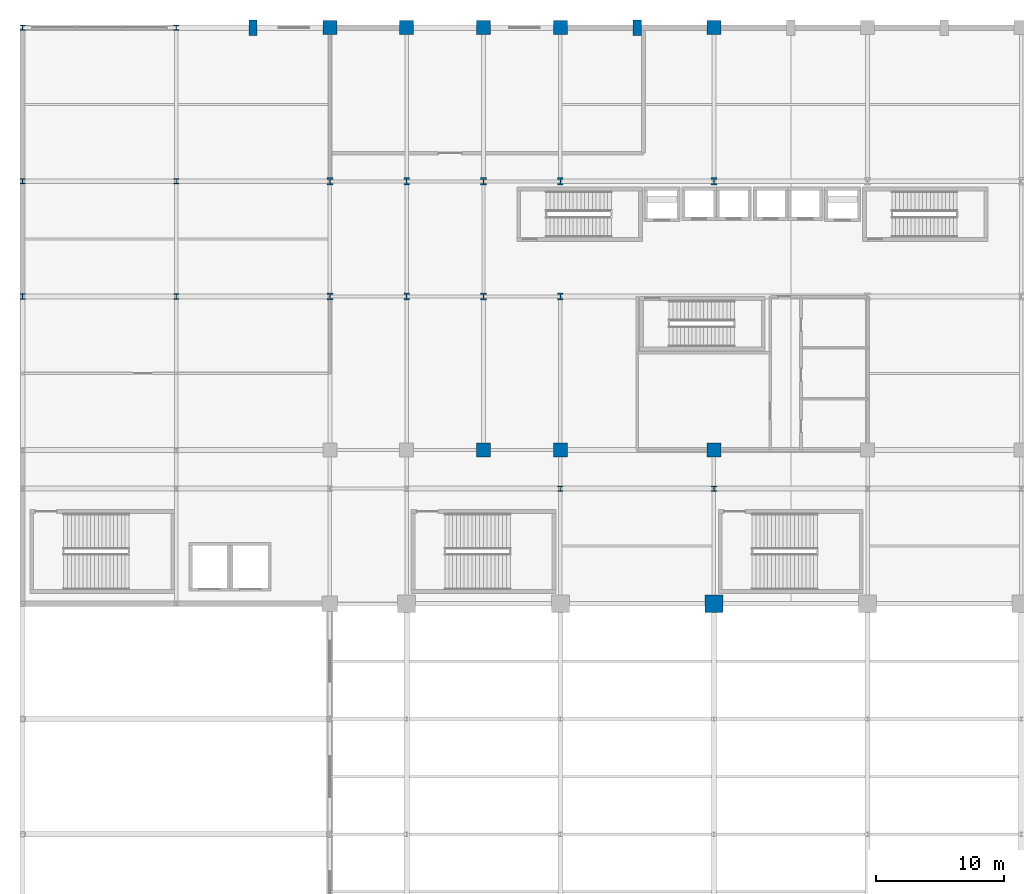
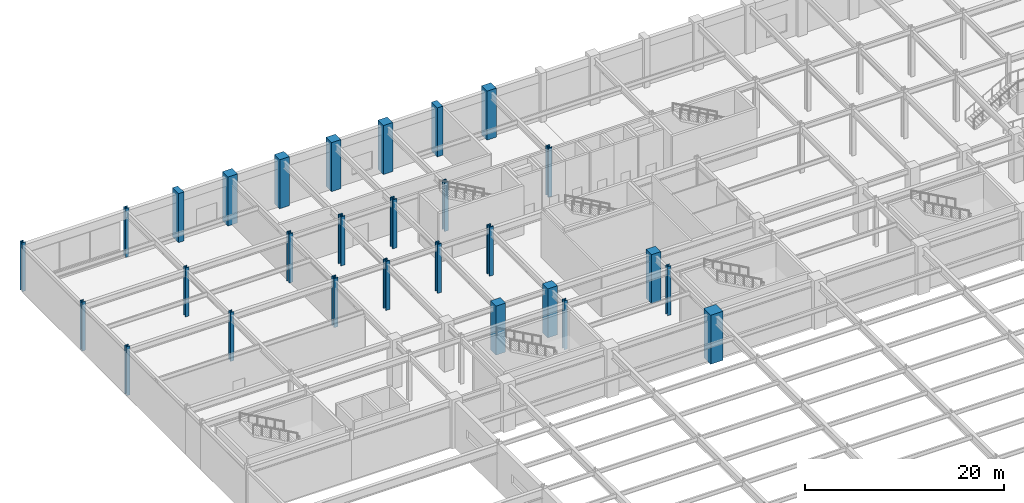
# One storey, part 7 of 105: 28 columns.
"""IFC4 building model written with IfcOpenShell, lengths in metres."""

from ifc_helpers import new_model, si_unit, direction, frame, origin, origin_2d, place, context, subcontext, project, spatial, rectangle, i_section, extrude, material, material_profile, profile_set, type_object, element, save


model = new_model("IFC4")

# Units and contexts
model_context = context("Model", 3, precision=1e-05, world=origin(), true_north=direction((0.0, 1.0)))
body_context = subcontext(model_context, "Body", "Model", "MODEL_VIEW")
ifc_project = project(units=[si_unit("LENGTHUNIT", "METRE"), si_unit("AREAUNIT", "SQUARE_METRE"), si_unit("VOLUMEUNIT", "CUBIC_METRE"), si_unit("PLANEANGLEUNIT", "RADIAN"), si_unit("MASSUNIT", "GRAM", prefix="KILO")], contexts=[model_context])

# Site, building, storey
site_placement = place(None, origin())
site = spatial("IfcSite", under=ifc_project, at=site_placement, CompositionType="ELEMENT")
building_placement = place(site_placement, origin())
building = spatial("IfcBuilding", under=site, at=building_placement, Name="Kaldorvane Square Convention Centre", CompositionType="ELEMENT")
storey_placement = place(building_placement, frame((0.0, 0.0, 6.0)))
storey = spatial("IfcBuildingStorey", under=building, at=storey_placement, Name="L01", CompositionType="ELEMENT", Elevation=6.0)

# Columns
ifc_material_1 = material(Name="Concrete f'c = 55 MPa (Normalweight)", Category="concrete")
ifc_material_profile_1 = material_profile(ifc_material_1, rectangle(XDim=1.399993896484375, YDim=1.399993896484375, at=origin_2d()), Name="RC1400X1400")
ifc_profile_set_1 = profile_set([ifc_material_profile_1], Name="Concrete f'c = 55 MPa (Normalweight)")
column_type_1 = type_object("IfcColumnType", Name="COL-MEGA-1400", PredefinedType="COLUMN", material=ifc_profile_set_1)
column_placement = place(storey_placement, frame((54.0, 72.0, 0.0), z_axis=(0.0, 0.0, 1.0), x_axis=(1.0, 0.0, 0.0)))
element("IfcColumn", 1, at=column_placement, inside=storey, type_object=column_type_1, Name="Column MC-01 (L01)", PredefinedType="COLUMN", context=body_context, shape_type="SweptSolid", body=[
    extrude(rectangle(XDim=1.399993896484375, YDim=1.399993896484375, at=origin_2d()), origin(), (0.0, 0.0, 1.0), 6.0),
])
ifc_material_profile_2 = material_profile(ifc_material_1, rectangle(XDim=1.100006103515625, YDim=1.100006103515625, at=origin_2d()), Name="RC1100X1100")
ifc_profile_set_2 = profile_set([ifc_material_profile_2], Name="Concrete f'c = 55 MPa (Normalweight)")
column_type_2 = type_object("IfcColumnType", Name="COL-RC-1100", PredefinedType="COLUMN", material=ifc_profile_set_2)
for number, where, z_axis, x_axis, name in (
    (2, (24.0, 117.0, 0.0), (0.0, 0.0, 1.0), (1.0, 0.0, 0.0), "Column CC-01 (L01)"),
    (3, (30.0, 117.0, 0.0), (0.0, 0.0, 1.0), (1.0, 0.0, 0.0), "Column CC-01 (L01)"),
    (4, (36.0, 84.0, 0.0), (0.0, 0.0, 1.0), (1.0, 0.0, 0.0), "Column CC-01 (L01)"),
    (5, (36.0, 117.0, 0.0), (0.0, 0.0, 1.0), (1.0, 0.0, 0.0), "Column CC-01 (L01)"),
    (6, (42.0, 84.0, 0.0), (0.0, 0.0, 1.0), (1.0, 0.0, 0.0), "Column CC-01 (L01)"),
    (7, (42.0, 117.0, 0.0), (0.0, 0.0, 1.0), (1.0, 0.0, 0.0), "Column CC-01 (L01)"),
    (8, (54.0, 84.0, 0.0), (0.0, 0.0, 1.0), (1.0, 0.0, 0.0), "Column CC-01 (L01)"),
    (9, (54.0, 117.0, 0.0), (0.0, 0.0, 1.0), (1.0, 0.0, 0.0), "Column CC-01 (L01)"),
):
    element("IfcColumn", number, at=place(storey_placement, frame(where, z_axis=z_axis, x_axis=x_axis)), inside=storey, type_object=column_type_2, Name=name, PredefinedType="COLUMN", context=body_context, shape_type="SweptSolid", body=[
        extrude(rectangle(XDim=1.100006103515625, YDim=1.100006103515625, at=origin_2d()), origin(), (0.0, 0.0, 1.0), 6.0),
    ])
ifc_material_2 = material(Name="Steel ASTM A992 Gr. 50", Category="steel")
ifc_material_profile_3 = material_profile(ifc_material_2, i_section(OverallWidth=0.40130615234375, OverallDepth=0.3993072509765625, WebThickness=0.02490234375, FlangeThickness=0.0395965576171875, FilletRadius=0.0305023193359375, at=origin_2d()), Name="W14X211")
ifc_profile_set_3 = profile_set([ifc_material_profile_3], Name="Steel ASTM A992 Gr. 50")
column_type_3 = type_object("IfcColumnType", Name="COL-STL-211", PredefinedType="COLUMN", material=ifc_profile_set_3)
for number, where, z_axis, x_axis, name in (
    (10, (0.0, 96.0, 0.0), (0.0, 0.0, 1.0), (1.0, 0.0, 0.0), "Column SC-08 (L01)"),
    (11, (0.0, 105.0, 0.0), (0.0, 0.0, 1.0), (1.0, 0.0, 0.0), "Column SC-08 (L01)"),
    (12, (0.0, 117.0, 0.0), (0.0, 0.0, 1.0), (1.0, 0.0, 0.0), "Column SC-08 (L01)"),
    (13, (12.0, 96.0, 0.0), (0.0, 0.0, 1.0), (1.0, 0.0, 0.0), "Column SC-08 (L01)"),
    (14, (12.0, 105.0, 0.0), (0.0, 0.0, 1.0), (1.0, 0.0, 0.0), "Column SC-08 (L01)"),
    (15, (12.0, 117.0, 0.0), (0.0, 0.0, 1.0), (1.0, 0.0, 0.0), "Column SC-08 (L01)"),
    (16, (42.0, 81.0, 0.0), (0.0, 0.0, 1.0), (1.0, 0.0, 0.0), "Column SC-08 (L01)"),
    (17, (54.0, 81.0, 0.0), (0.0, 0.0, 1.0), (1.0, 0.0, 0.0), "Column SC-08 (L01)"),
):
    element("IfcColumn", number, at=place(storey_placement, frame(where, z_axis=z_axis, x_axis=x_axis)), inside=storey, type_object=column_type_3, Name=name, PredefinedType="COLUMN", context=body_context, shape_type="SweptSolid", body=[
        extrude(i_section(OverallWidth=0.40130615234375, OverallDepth=0.3993072509765625, WebThickness=0.02490234375, FlangeThickness=0.0395965576171875, FilletRadius=0.0305023193359375, at=origin_2d()), origin(), (0.0, 0.0, 1.0), 6.0),
    ])
ifc_material_profile_4 = material_profile(ifc_material_2, i_section(OverallWidth=0.45440673828125, OverallDepth=0.569000244140625, WebThickness=0.0780029296875, FlangeThickness=0.12469482421875, FilletRadius=0.0305023193359375, at=origin_2d()), Name="W14X730")
ifc_profile_set_4 = profile_set([ifc_material_profile_4], Name="Steel ASTM A992 Gr. 50")
column_type_4 = type_object("IfcColumnType", Name="COL-STL-730", PredefinedType="COLUMN", material=ifc_profile_set_4)
for number, where, z_axis, x_axis, name in (
    (18, (24.0, 96.0, 0.0), (0.0, 0.0, 1.0), (1.0, 0.0, 0.0), "Column SC-01 (L01)"),
    (19, (24.0, 105.0, 0.0), (0.0, 0.0, 1.0), (1.0, 0.0, 0.0), "Column SC-01 (L01)"),
    (20, (30.0, 96.0, 0.0), (0.0, 0.0, 1.0), (1.0, 0.0, 0.0), "Column SC-01 (L01)"),
    (21, (30.0, 105.0, 0.0), (0.0, 0.0, 1.0), (1.0, 0.0, 0.0), "Column SC-01 (L01)"),
    (22, (36.0, 96.0, 0.0), (0.0, 0.0, 1.0), (1.0, 0.0, 0.0), "Column SC-01 (L01)"),
    (23, (36.0, 105.0, 0.0), (0.0, 0.0, 1.0), (1.0, 0.0, 0.0), "Column SC-01 (L01)"),
    (24, (42.0, 96.0, 0.0), (0.0, 0.0, 1.0), (1.0, 0.0, 0.0), "Column SC-01 (L01)"),
    (25, (42.0, 105.0, 0.0), (0.0, 0.0, 1.0), (1.0, 0.0, 0.0), "Column SC-01 (L01)"),
    (26, (54.0, 105.0, 0.0), (0.0, 0.0, 1.0), (1.0, 0.0, 0.0), "Column SC-01 (L01)"),
):
    element("IfcColumn", number, at=place(storey_placement, frame(where, z_axis=z_axis, x_axis=x_axis)), inside=storey, type_object=column_type_4, Name=name, PredefinedType="COLUMN", context=body_context, shape_type="SweptSolid", body=[
        extrude(i_section(OverallWidth=0.45440673828125, OverallDepth=0.569000244140625, WebThickness=0.0780029296875, FlangeThickness=0.12469482421875, FilletRadius=0.0305023193359375, at=origin_2d()), origin(), (0.0, 0.0, 1.0), 6.0),
    ])
ifc_material_profile_5 = material_profile(ifc_material_1, rectangle(XDim=0.649993896484375, YDim=1.1999969482421875, at=origin_2d()), Name="PIL1200X650")
ifc_profile_set_5 = profile_set([ifc_material_profile_5], Name="Concrete f'c = 55 MPa (Normalweight)")
column_type_5 = type_object("IfcColumnType", Name="PIL-BRUT-1200", PredefinedType="PILASTER", material=ifc_profile_set_5)
for number, where, z_axis, x_axis, name in (
    (27, (18.0, 117.0, 0.0), (0.0, 0.0, 1.0), (1.0, 0.0, 0.0), "Brutalist Colonnade Pilaster (L01)"),
    (28, (48.0, 117.0, 0.0), (0.0, 0.0, 1.0), (1.0, 0.0, 0.0), "Brutalist Colonnade Pilaster (L01)"),
):
    element("IfcColumn", number, at=place(storey_placement, frame(where, z_axis=z_axis, x_axis=x_axis)), inside=storey, type_object=column_type_5, Name=name, PredefinedType="PILASTER", context=body_context, shape_type="SweptSolid", body=[
        extrude(rectangle(XDim=0.649993896484375, YDim=1.1999969482421875, at=origin_2d()), origin(), (0.0, 0.0, 1.0), 6.0),
    ])

save(model, "model.ifc")
